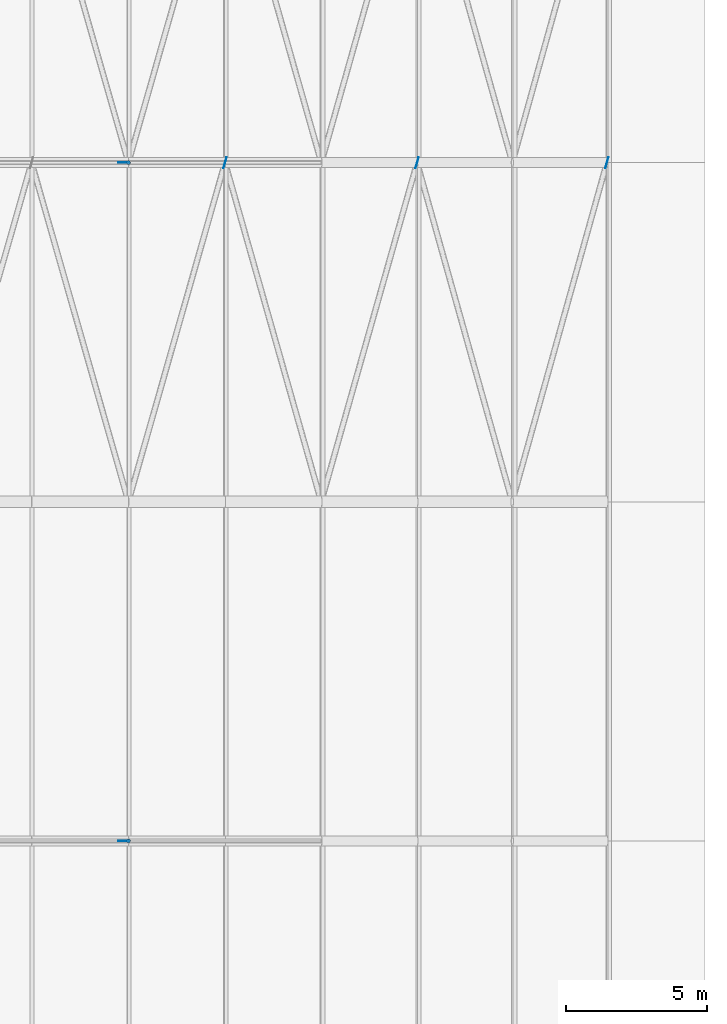
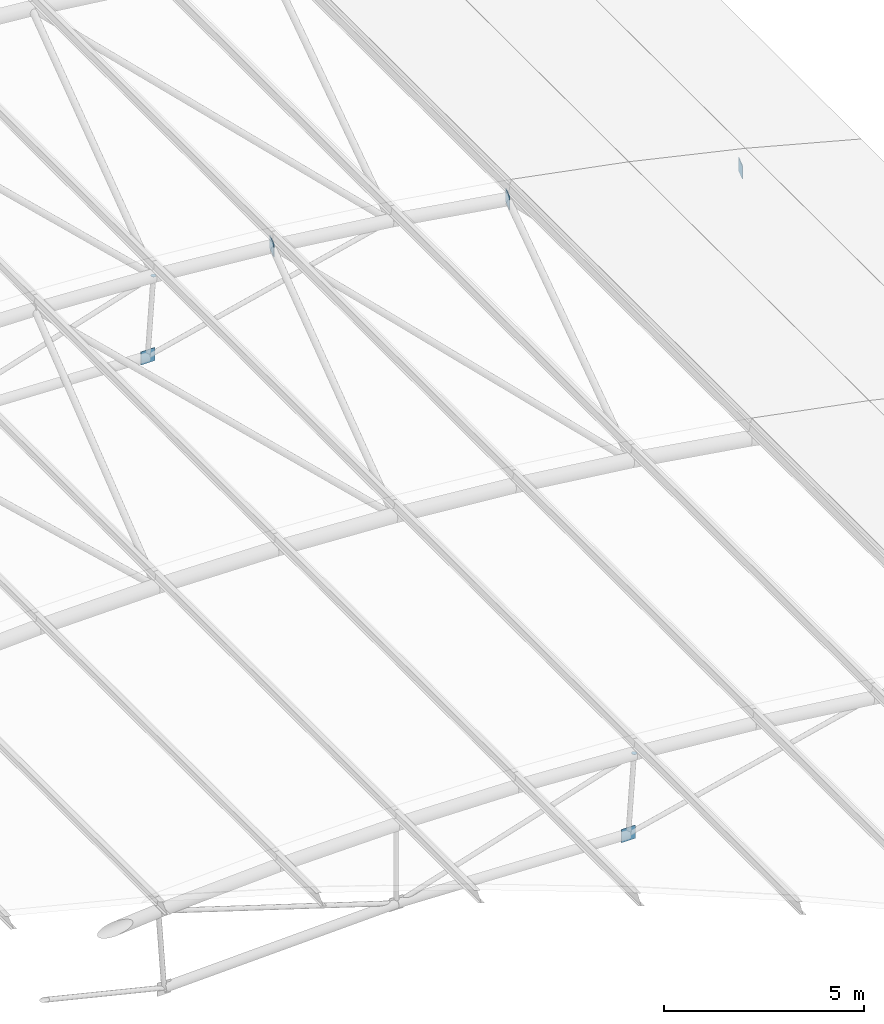
# One storey, part 70 of 91: 7 discrete accessories.
"""IFC4 building model written with IfcOpenShell, lengths in metres."""

from ifc_helpers import new_model, si_unit, direction, frame, origin, origin_2d, place, context, subcontext, project, spatial, rectangle, circle, extrude, material, material_profile, profile_set, type_object, element, save


model = new_model("IFC4")

# Units and contexts
model_context = context("Model", 3, precision=1e-05, world=origin(), true_north=direction((0.0, 1.0)))
body_context = subcontext(model_context, "Body", "Model", "MODEL_VIEW")
ifc_project = project(units=[si_unit("LENGTHUNIT", "METRE"), si_unit("AREAUNIT", "SQUARE_METRE"), si_unit("VOLUMEUNIT", "CUBIC_METRE"), si_unit("PLANEANGLEUNIT", "RADIAN"), si_unit("MASSUNIT", "GRAM", prefix="KILO")], contexts=[model_context])

# Site, building, storey
site_placement = place(None, origin())
site = spatial("IfcSite", under=ifc_project, at=site_placement, CompositionType="ELEMENT")
building_placement = place(site_placement, origin())
building = spatial("IfcBuilding", under=site, at=building_placement, Name="Ravi Spectrum Wholesale Market", CompositionType="ELEMENT")
storey_placement = place(building_placement, frame((0.0, 0.0, 16.199951171875)))
storey = spatial("IfcBuildingStorey", under=building, at=storey_placement, Name="ROOF PLANT LEVEL", CompositionType="ELEMENT", Elevation=16.199951171875)

# Discrete accessories
ifc_material_1 = material(Name="Steel S355", Category="steel")
ifc_material_profile_1 = material_profile(ifc_material_1, circle(Radius=0.06982421875, at=origin_2d()))
ifc_profile_set_1 = profile_set([ifc_material_profile_1], Name="Steel S355")
discrete_accessory_type_1 = type_object("IfcDiscreteAccessoryType", Name="End plate CHS 139.7x5", PredefinedType="BRACKET", material=ifc_profile_set_1)
for number, where, z_axis, x_axis, name in (
    (1, (76.857177734375, 90.0, 2.788818359375), (0.081362009455, 0.0, 0.996684615823), (0.0, 1.0, 0.0), "End plate"),
    (2, (76.857177734375, 114.0, 2.788818359375), (0.081362009455, 0.0, 0.996684615823), (0.0, 1.0, 0.0), "End plate"),
):
    element("IfcDiscreteAccessory", number, at=place(storey_placement, frame(where, z_axis=z_axis, x_axis=x_axis)), inside=storey, type_object=discrete_accessory_type_1, Name=name, PredefinedType="BRACKET", context=body_context, shape_type="SweptSolid", body=[
        extrude(circle(Radius=0.06982421875, at=origin_2d()), origin(), (0.0, 0.0, 1.0), 0.011962890625),
    ])
ifc_material_2 = material(Name="Steel S355", Category="steel")
ifc_material_profile_2 = material_profile(ifc_material_2, rectangle(XDim=0.39990234375, YDim=0.02001953125, at=origin_2d()))
ifc_profile_set_2 = profile_set([ifc_material_profile_2], Name="Steel S355")
discrete_accessory_type_2 = type_object("IfcDiscreteAccessoryType", Name="Gusset plate 400x400x20", PredefinedType="BRACKET", material=ifc_profile_set_2)
for number, where, z_axis, x_axis, name in (
    (3, (76.69189453125, 90.0, 0.194580078125), (0.0, 0.0, 1.0), (-1.0, 0.0, 0.0), "Gusset plate"),
    (4, (76.69189453125, 114.0, 0.194580078125), (0.0, 0.0, 1.0), (-1.0, 0.0, 0.0), "Gusset plate"),
    (5, (80.275634765625, 114.0, 2.293212890625), (0.0, 0.0, 1.0), (0.274099988531, 0.961701199067, 0.0), "Gusset plate"),
):
    element("IfcDiscreteAccessory", number, at=place(storey_placement, frame(where, z_axis=z_axis, x_axis=x_axis)), inside=storey, type_object=discrete_accessory_type_2, Name=name, PredefinedType="BRACKET", context=body_context, shape_type="SweptSolid", body=[
        extrude(rectangle(XDim=0.39990234375, YDim=0.02001953125, at=origin_2d()), origin(), (0.0, 0.0, 1.0), 0.39990234375),
    ])
for number, where, z_axis, x_axis, name in (
    (6, (87.07177734375, 114.0, 1.349365234375), (0.0, 0.0, 1.0), (0.272114179822, 0.962264970338, 0.0), "Gusset plate"),
    (7, (93.786865234375, 114.0, -0.060791015625), (0.0, 0.0, 1.0), (0.268923156276, 0.963161635458, 0.0), "Gusset plate"),
):
    element("IfcDiscreteAccessory", number, at=place(storey_placement, frame(where, z_axis=z_axis, x_axis=x_axis)), inside=storey, type_object=discrete_accessory_type_2, Name=name, PredefinedType="BRACKET", context=body_context, shape_type="SweptSolid", body=[
        extrude(rectangle(XDim=0.39990234375, YDim=0.02001953125, at=origin_2d()), origin(), (0.0, 0.0, 1.0), 0.400146484375),
    ])

save(model, "model.ifc")
